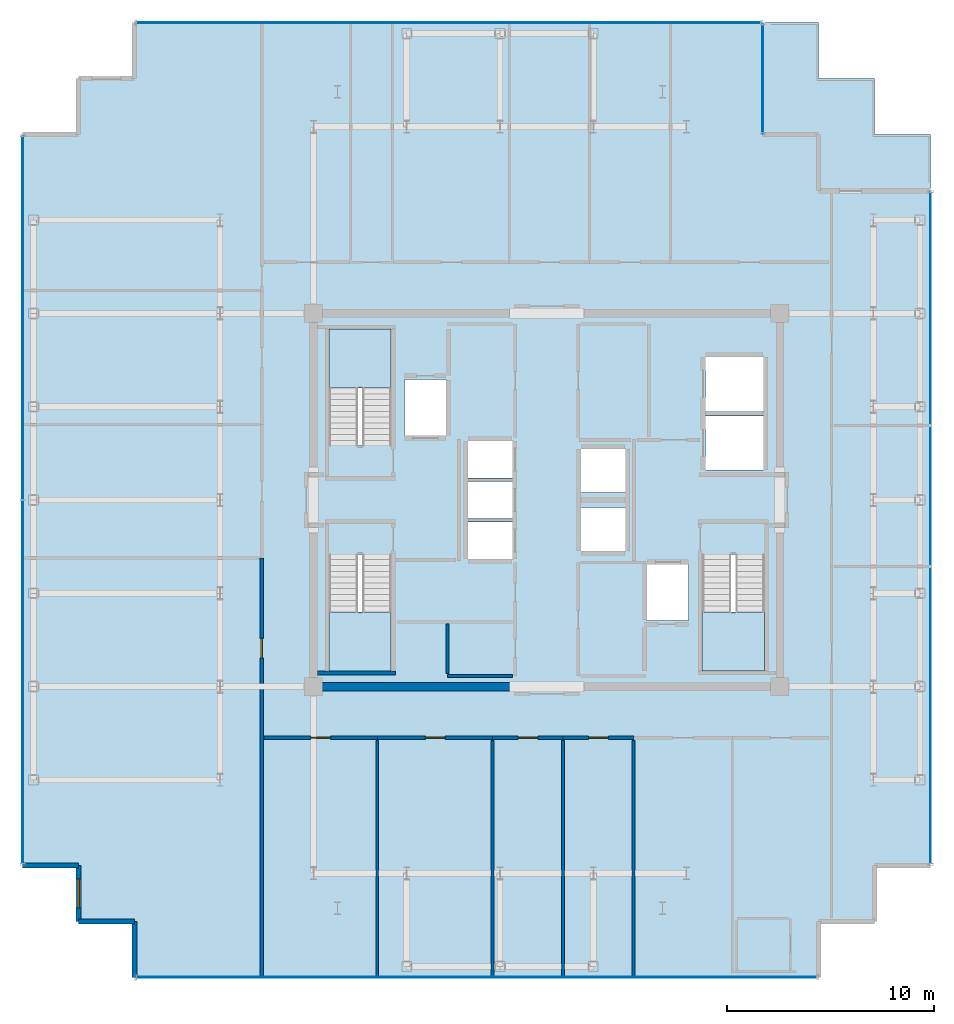
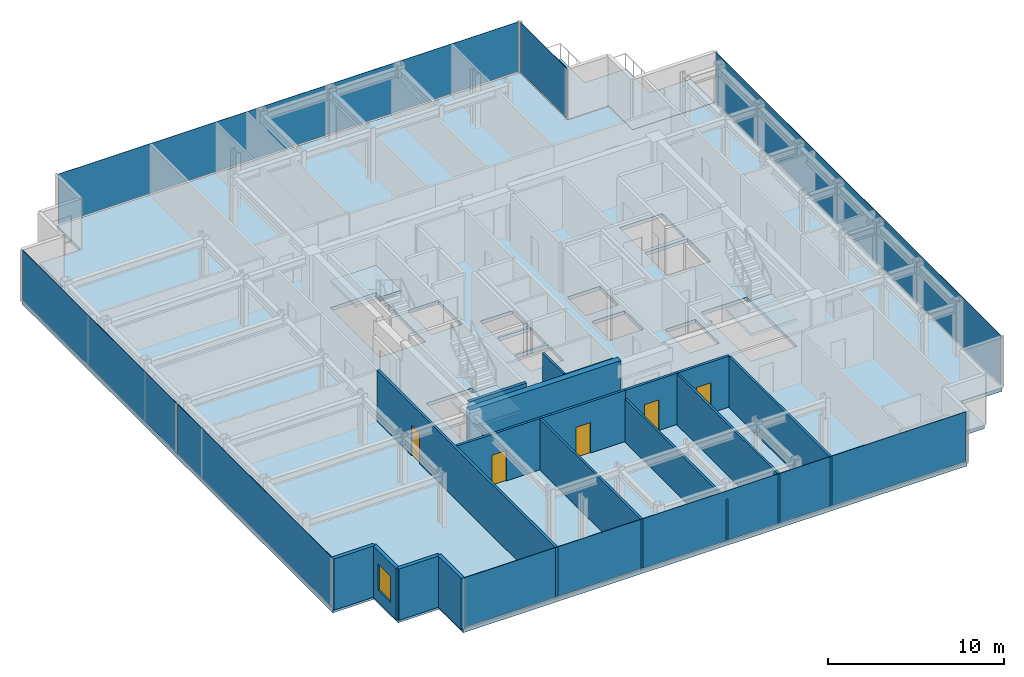
# One storey, part 11 of 17: 17 walls, 6 plates, 5 doors, 5 slabs, 1 window, 6 openings, 8 elements without a shape of their own.
"""IFC4 building model written with IfcOpenShell, lengths in metres."""

import ifcopenshell
import ifcopenshell.guid

model = None  # the IFC model being written
_history = None  # IfcOwnerHistory: only IFC2X3 demands one
_inside = {}  # id of a spatial element -> (the spatial element, [elements in it])
_under = {}  # id of a project, library or spatial element -> (it, [spatial elements below it])
_declared = {}  # id of a project -> (the project, [libraries it declares])
_typed = {}  # id of a type object -> (the type object, [elements of that type])
_made_of = {}  # id of a material, layer set ... -> (it, [elements and type objects made of it])


def new_model(schema):
    """Start an empty IFC model of exactly this schema.

    Asked for "IFC4X3", IfcOpenShell would pick the latest addendum, in which some entities
    have other attributes; the version numbers below select the first issue.
    IFC2X3 requires an IfcOwnerHistory on every rooted entity: one is made here for all.
    """
    global model, _history
    if schema == "IFC4X3":
        model = ifcopenshell.file(schema_version=(4, 3, 0, 0))
    else:
        model = ifcopenshell.file(schema=schema)
    _inside.clear()
    _under.clear()
    _declared.clear()
    _typed.clear()
    _made_of.clear()
    _history = None
    if model.schema == "IFC2X3":
        org = make("IfcOrganization", Name="unknown")
        user = make(
            "IfcPersonAndOrganization",
            ThePerson=make("IfcPerson", FamilyName="unknown"),
            TheOrganization=org,
        )
        app = make(
            "IfcApplication",
            ApplicationDeveloper=org,
            Version="unknown",
            ApplicationFullName="unknown",
            ApplicationIdentifier="unknown",
        )
        _history = make(
            "IfcOwnerHistory",
            OwningUser=user,
            OwningApplication=app,
            ChangeAction="ADDED",
            CreationDate=0,
        )
    return model


def make(cls, **values):
    """One entity of the class cls with the attributes given. An attribute that is None is left unset."""
    return model.create_entity(
        cls, **{name: value for name, value in values.items() if value is not None}
    )


def rooted(cls, **values):
    """An entity with a GlobalId (a new one), such as an element, a storey or a relation."""
    return make(cls, GlobalId=ifcopenshell.guid.new(), OwnerHistory=_history, **values)


def si_unit(unit_type, name, prefix=None):
    """IfcSIUnit, for example si_unit("LENGTHUNIT", "METRE", prefix="MILLI")."""
    return make("IfcSIUnit", UnitType=unit_type, Prefix=prefix, Name=name)


def assignment(units):
    """IfcUnitAssignment: the units of a project."""
    return None if units is None else make("IfcUnitAssignment", Units=units)


def point(xyz):
    """IfcCartesianPoint."""
    return None if xyz is None else make("IfcCartesianPoint", Coordinates=xyz)


def direction(xyz):
    """IfcDirection."""
    return None if xyz is None else make("IfcDirection", DirectionRatios=xyz)


def frame(location, z_axis=None, x_axis=None):
    """IfcAxis2Placement3D, a coordinate frame: its origin and axes. An axis left out is left unset."""
    return make(
        "IfcAxis2Placement3D",
        Location=point(location),
        Axis=direction(z_axis),
        RefDirection=direction(x_axis),
    )


def frame_2d(location, x_axis=None):
    """IfcAxis2Placement2D, a coordinate frame in the plane: its origin and x axis."""
    return make(
        "IfcAxis2Placement2D", Location=point(location), RefDirection=direction(x_axis)
    )


def origin():
    """The frame at (0, 0, 0) with its axes left unset."""
    return frame((0.0, 0.0, 0.0))


def origin_2d():
    """The frame at (0, 0) in the plane with its x axis left unset."""
    return frame_2d((0.0, 0.0))


def place(relative_to, where):
    """IfcLocalPlacement: puts the frame where relative to a parent placement (None: the world)."""
    return make(
        "IfcLocalPlacement", PlacementRelTo=relative_to, RelativePlacement=where
    )


def context(
    kind, dimensions, precision=None, world=None, true_north=None, identifier=None
):
    """IfcGeometricRepresentationContext, for example the 3D "Model" context."""
    return make(
        "IfcGeometricRepresentationContext",
        ContextIdentifier=identifier,
        ContextType=kind,
        CoordinateSpaceDimension=dimensions,
        Precision=precision,
        WorldCoordinateSystem=world,
        TrueNorth=true_north,
    )


def subcontext(parent, identifier, kind, view, scale=None):
    """IfcGeometricRepresentationSubContext, for example "Body" below "Model"."""
    return make(
        "IfcGeometricRepresentationSubContext",
        ContextIdentifier=identifier,
        ContextType=kind,
        ParentContext=parent,
        TargetScale=scale,
        TargetView=view,
    )


def project(units=None, contexts=None):
    """IfcProject with its units and contexts."""
    return rooted(
        "IfcProject",
        Name="project",
        RepresentationContexts=contexts,
        UnitsInContext=assignment(units),
    )


def spatial(cls, under=None, at=None, **own):
    """A site, building, storey or space (cls), placed at a placement, below another one or the project."""
    s = rooted(cls, ObjectPlacement=at, **own)
    if under is not None:
        _under.setdefault(under.id(), (under, []))[1].append(s)
    return s


def polyline(points):
    """IfcPolyline through the points."""
    return make("IfcPolyline", Points=[point(p) for p in points])


def profile(cls, at=None, kind="AREA", **sizes):
    """A parametric profile (cls). Its sizes go by their IFC names, for example OverallWidth=200.0."""
    return make(cls, ProfileType=kind, Position=at, **sizes)


def rectangle(**sizes):
    """IfcRectangleProfileDef."""
    return profile("IfcRectangleProfileDef", **sizes)


def outline(outer, holes=None, kind="AREA"):
    """IfcArbitraryClosedProfileDef: a profile drawn as a closed curve; with holes, ...WithVoids."""
    if holes is None:
        return make("IfcArbitraryClosedProfileDef", ProfileType=kind, OuterCurve=outer)
    return make(
        "IfcArbitraryProfileDefWithVoids",
        ProfileType=kind,
        OuterCurve=outer,
        InnerCurves=holes,
    )


def extrude(swept, where, along, depth):
    """IfcExtrudedAreaSolid: the profile swept, set in the frame where, extruded along a direction by depth."""
    return make(
        "IfcExtrudedAreaSolid",
        SweptArea=swept,
        Position=where,
        ExtrudedDirection=direction(along),
        Depth=depth,
    )


def shape(context_of_items, identifier, shape_type, items):
    """IfcShapeRepresentation: the items that make up one representation, for example the "Body"."""
    return make(
        "IfcShapeRepresentation",
        ContextOfItems=context_of_items,
        RepresentationIdentifier=identifier,
        RepresentationType=shape_type,
        Items=items,
    )


def source(mapping_origin, context_of_items, identifier, shape_type, items):
    """IfcRepresentationMap: a shape defined once, which mapped items show again and again."""
    return make(
        "IfcRepresentationMap",
        MappingOrigin=mapping_origin,
        MappedRepresentation=shape(context_of_items, identifier, shape_type, items),
    )


def transform(
    local_origin,
    x_axis=None,
    y_axis=None,
    z_axis=None,
    scale=None,
    scale2=None,
    scale3=None,
    uniform=True,
):
    """IfcCartesianTransformationOperator3D, or its non-uniform kind. x_axis, y_axis, z_axis: its Axis1, 2, 3."""
    if uniform:
        return make(
            "IfcCartesianTransformationOperator3D",
            Axis1=direction(x_axis),
            Axis2=direction(y_axis),
            LocalOrigin=point(local_origin),
            Scale=scale,
            Axis3=direction(z_axis),
        )
    return make(
        "IfcCartesianTransformationOperator3DnonUniform",
        Axis1=direction(x_axis),
        Axis2=direction(y_axis),
        LocalOrigin=point(local_origin),
        Scale=scale,
        Axis3=direction(z_axis),
        Scale2=scale2,
        Scale3=scale3,
    )


def mapped(mapping_source, mapping_target):
    """IfcMappedItem: shows the shape of a source again, moved by a transform."""
    return make(
        "IfcMappedItem", MappingSource=mapping_source, MappingTarget=mapping_target
    )


def material(Name=None, Category=None):
    """IfcMaterial."""
    return make("IfcMaterial", Name=Name, Category=Category)


def layer(
    of_material, thickness, ventilated=None, Name=None, Category=None, Priority=None
):
    """IfcMaterialLayer: one layer of a wall or slab, of a material (None: an air gap)."""
    return make(
        "IfcMaterialLayer",
        Material=of_material,
        LayerThickness=thickness,
        IsVentilated=ventilated,
        Name=Name,
        Category=Category,
        Priority=Priority,
    )


def layer_set(layers, Name=None):
    """IfcMaterialLayerSet."""
    return make("IfcMaterialLayerSet", MaterialLayers=layers, LayerSetName=Name)


def made_of(thing, what):
    """Note that an element or type object is made of a material, layer set ...; save() writes the relation."""
    if what is not None:
        _made_of.setdefault(what.id(), (what, []))[1].append(thing)
    return thing


def type_object(cls, material=None, **own):
    """A type object (cls), such as IfcWallType, which elements share."""
    return made_of(rooted(cls, **own), material)


def element(
    cls,
    number,
    at=None,
    inside=None,
    cuts=None,
    type_object=None,
    material=None,
    context=None,
    identifier="Body",
    shape_type=None,
    held_by="IfcProductDefinitionShape",
    body=None,
    shapes=None,
    **own,
):
    """One element of the class cls, such as IfcWall. Its Tag is "e" and its number.

    at: its placement. inside: the storey or other place that contains it. cuts: it is an
    opening in that element (IfcRelVoidsElement). A single representation is given by context,
    identifier, shape_type and body (its items); several are given by shapes. held_by: the class
    of the entity that holds the representations. save() writes the other relations.
    """
    e = rooted(cls, Tag="e%d" % number, ObjectPlacement=at, **own)
    if body is not None:
        shapes = [shape(context, identifier, shape_type, body)]
    if shapes is not None:
        e.Representation = make(held_by, Representations=shapes)
    if inside is not None:
        _inside.setdefault(inside.id(), (inside, []))[1].append(e)
    if cuts is not None:
        rooted(
            "IfcRelVoidsElement", RelatingBuildingElement=cuts, RelatedOpeningElement=e
        )
    if type_object is not None:
        _typed.setdefault(type_object.id(), (type_object, []))[1].append(e)
    return made_of(e, material)


def fill(opening, filler):
    """IfcRelFillsElement: the door or window that sits in an opening."""
    return rooted(
        "IfcRelFillsElement",
        RelatingOpeningElement=opening,
        RelatedBuildingElement=filler,
    )


def aggregate(whole, parts):
    """IfcRelAggregates: a whole, such as a stair, and the parts it consists of."""
    return rooted("IfcRelAggregates", RelatingObject=whole, RelatedObjects=parts)


def save(model, path):
    """Write the relations noted so far, then the file.

    IfcRelAggregates (storeys below a building ...), IfcRelContainedInSpatialStructure (elements
    in a storey), IfcRelDefinesByType, IfcRelAssociatesMaterial and IfcRelDeclares: one each for
    every whole, place, type object, material and project.
    """
    for whole, parts in _under.values():
        aggregate(whole, parts)
    for where, things in _inside.values():
        rooted(
            "IfcRelContainedInSpatialStructure",
            RelatedElements=things,
            RelatingStructure=where,
        )
    for kind, things in _typed.values():
        rooted("IfcRelDefinesByType", RelatedObjects=things, RelatingType=kind)
    for what, things in _made_of.values():
        rooted("IfcRelAssociatesMaterial", RelatedObjects=things, RelatingMaterial=what)
    for by, libraries in _declared.values():
        rooted("IfcRelDeclares", RelatingContext=by, RelatedDefinitions=libraries)
    model.write(path)


model = new_model("IFC4")

# Units and contexts
model_context = context("Model", 3, precision=1e-05, world=origin(), true_north=direction((0.0, 1.0)))
body_context = subcontext(model_context, "Body", "Model", "MODEL_VIEW")
ifc_project = project(units=[si_unit("LENGTHUNIT", "METRE"), si_unit("AREAUNIT", "SQUARE_METRE"), si_unit("VOLUMEUNIT", "CUBIC_METRE"), si_unit("PLANEANGLEUNIT", "RADIAN"), si_unit("MASSUNIT", "GRAM", prefix="KILO")], contexts=[model_context])

# Site, building, storey
site_placement = place(None, origin())
site = spatial("IfcSite", under=ifc_project, at=site_placement, CompositionType="ELEMENT")
building_placement = place(site_placement, origin())
building = spatial("IfcBuilding", under=site, at=building_placement, Name="Nefas-Gora Pilgrimage Tower", CompositionType="ELEMENT")
storey_placement = place(building_placement, frame((0.0, 0.0, 337.60009765625)))
storey = spatial("IfcBuildingStorey", under=building, at=storey_placement, Name="L85", CompositionType="ELEMENT", Elevation=337.60009765625)

# Slabs
ifc_material_1 = material(Name="Concrete C40/50", Category="concrete")
ifc_layer_1 = layer(ifc_material_1, 0.239990234375)
ifc_layer_set_1 = layer_set([ifc_layer_1], Name="Concrete C40/50")
slab_type_1 = type_object("IfcSlabType", Name="SLB-TER-SP-NE", PredefinedType="FLOOR", material=ifc_layer_set_1)
slab_1_placement = place(storey_placement, frame((0.0, 0.0, -0.239990234375)))
element("IfcSlab", 1, at=slab_1_placement, inside=storey, type_object=slab_type_1, Name="L85 Outdoor Sky Terrace Slab TER-SP-NE", PredefinedType="FLOOR", context=body_context, shape_type="SweptSolid", body=[
    extrude(outline(polyline([(10.419921875, 23.02001953125), (10.419921875, 17.6201171875), (13.1201171875, 17.6201171875), (13.1201171875, 14.919921875), (18.52001953125, 14.919921875), (18.52001953125, 17.6201171875), (15.820068359375, 17.6201171875), (15.820068359375, 20.320068359375), (13.1201171875, 20.320068359375), (13.1201171875, 23.02001953125), (10.419921875, 23.02001953125)])), origin(), (0.0, 0.0, 1.0), 0.239990234375),
])
ifc_layer_2 = layer(ifc_material_1, 0.25)
ifc_layer_set_2 = layer_set([ifc_layer_2], Name="Concrete C40/50")
slab_type_2 = type_object("IfcSlabType", Name="SLB-TWR-260", PredefinedType="FLOOR", material=ifc_layer_set_2)
slab_2_placement = place(storey_placement, frame((0.0, 0.0, -0.25)))
element("IfcSlab", 2, at=slab_2_placement, inside=storey, type_object=slab_type_2, Name="L85 Structural Floor Slab", PredefinedType="FLOOR", context=body_context, shape_type="SweptSolid", body=[
    extrude(outline(polyline([(18.52001953125, -17.6201171875), (18.52001953125, 14.919921875), (13.1201171875, 14.919921875), (13.1201171875, 17.6201171875), (10.419921875, 17.6201171875), (10.419921875, 23.02001953125), (-19.8701171875, 23.02001953125), (-19.8701171875, 20.320068359375), (-22.570068359375, 20.320068359375), (-22.570068359375, 17.6201171875), (-25.27001953125, 17.6201171875), (-25.27001953125, -17.6201171875), (-22.570068359375, -17.6201171875), (-22.570068359375, -20.320068359375), (-19.8701171875, -20.320068359375), (-19.8701171875, -23.02001953125), (13.1201171875, -23.02001953125), (13.1201171875, -20.320068359375), (15.820068359375, -20.320068359375), (15.820068359375, -17.6201171875), (18.52001953125, -17.6201171875)]), holes=[polyline([(-10.5, 2.639892578125), (-10.5, 8.25), (-7.5, 8.25), (-7.5, 2.639892578125), (-10.5, 2.639892578125)]), polyline([(10.5, -2.639892578125), (10.5, -8.25), (7.5, -8.25), (7.5, -2.639892578125), (10.5, -2.639892578125)]), polyline([(-7.5, -2.639892578125), (-7.5, -8.25), (-10.5, -8.25), (-10.5, -2.639892578125), (-7.5, -2.639892578125)]), polyline([(-6.85009765625, 5.800048828125), (-4.85009765625, 5.800048828125), (-4.85009765625, 3.10009765625), (-6.85009765625, 3.10009765625), (-6.85009765625, 5.800048828125)]), polyline([(4.85009765625, -3.10009765625), (6.85009765625, -3.10009765625), (6.85009765625, -5.800048828125), (4.85009765625, -5.800048828125), (4.85009765625, -3.10009765625)]), polyline([(7.64990234375, 4.050048828125), (10.449951171875, 4.050048828125), (10.449951171875, 1.449951171875), (7.64990234375, 1.449951171875), (7.64990234375, 4.050048828125)]), polyline([(7.64990234375, 6.89990234375), (10.449951171875, 6.89990234375), (10.449951171875, 4.300048828125), (7.64990234375, 4.300048828125), (7.64990234375, 6.89990234375)]), polyline([(-3.800048828125, -1.050048828125), (-1.64990234375, -1.050048828125), (-1.64990234375, -2.85009765625), (-3.800048828125, -2.85009765625), (-3.800048828125, -1.050048828125)]), polyline([(-3.800048828125, 0.89990234375), (-1.64990234375, 0.89990234375), (-1.64990234375, -0.89990234375), (-3.800048828125, -0.89990234375), (-3.800048828125, 0.89990234375)]), polyline([(-3.800048828125, 2.85009765625), (-1.64990234375, 2.85009765625), (-1.64990234375, 1.050048828125), (-3.800048828125, 1.050048828125), (-3.800048828125, 2.85009765625)]), polyline([(1.64990234375, -0.35009765625), (3.800048828125, -0.35009765625), (3.800048828125, -2.449951171875), (1.64990234375, -2.449951171875), (1.64990234375, -0.35009765625)]), polyline([(1.64990234375, 2.449951171875), (3.800048828125, 2.449951171875), (3.800048828125, 0.35009765625), (1.64990234375, 0.35009765625), (1.64990234375, 2.449951171875)])]), origin(), (0.0, 0.0, 1.0), 0.25),
])

# Stair, slab
ifc_material_2 = material(Name="Concrete C45/55", Category="concrete")
stair_type = type_object("IfcStairType", Name="STR-1400-R1727", PredefinedType="HALF_TURN_STAIR", material=ifc_material_2)
stair_1_placement = place(storey_placement, origin())
stair_1 = element("IfcStair", 3, at=stair_1_placement, inside=storey, type_object=stair_type, Name="L85 Pressurised Tower Exit Stair ST-01", PredefinedType="HALF_TURN_STAIR")
ifc_layer_3 = layer(ifc_material_1, 0.199951171875)
ifc_layer_set_3 = layer_set([ifc_layer_3], Name="Concrete C40/50")
slab_type_3 = type_object("IfcSlabType", Name="STR-LAND-200", PredefinedType="LANDING", material=ifc_layer_set_3)
slab_3_placement = place(storey_placement, frame((0.0, 0.0, 1.699951171875)))
slab_3 = element("IfcSlab", 4, at=slab_3_placement, type_object=slab_type_3, Name="ST-01 landing 1", PredefinedType="LANDING", context=body_context, shape_type="SweptSolid", body=[
    extrude(outline(polyline([(-7.5, 5.39990234375), (-7.5, 8.25), (-10.5, 8.25), (-10.5, 5.39990234375), (-7.5, 5.39990234375)])), origin(), (0.0, 0.0, 1.0), 0.199951171875),
])
aggregate(stair_1, [slab_3])

stair_2_placement = place(storey_placement, origin())
stair_2 = element("IfcStair", 5, at=stair_2_placement, inside=storey, type_object=stair_type, Name="L85 Pressurised Tower Exit Stair ST-02", PredefinedType="HALF_TURN_STAIR")
slab_4_placement = place(storey_placement, frame((0.0, 0.0, 1.699951171875)))
slab_4 = element("IfcSlab", 6, at=slab_4_placement, type_object=slab_type_3, Name="ST-02 landing 1", PredefinedType="LANDING", context=body_context, shape_type="SweptSolid", body=[
    extrude(outline(polyline([(7.5, -5.39990234375), (7.5, -8.25), (10.5, -8.25), (10.5, -5.39990234375), (7.5, -5.39990234375)])), origin(), (0.0, 0.0, 1.0), 0.199951171875),
])
aggregate(stair_2, [slab_4])

stair_3_placement = place(storey_placement, origin())
stair_3 = element("IfcStair", 7, at=stair_3_placement, inside=storey, type_object=stair_type, Name="L85 Pressurised Tower Exit Stair ST-03", PredefinedType="HALF_TURN_STAIR")
slab_5_placement = place(storey_placement, frame((0.0, 0.0, 1.699951171875)))
slab_5 = element("IfcSlab", 8, at=slab_5_placement, type_object=slab_type_3, Name="ST-03 landing 1", PredefinedType="LANDING", context=body_context, shape_type="SweptSolid", body=[
    extrude(outline(polyline([(-10.5, -5.39990234375), (-10.5, -8.25), (-7.5, -8.25), (-7.5, -5.39990234375), (-10.5, -5.39990234375)])), origin(), (0.0, 0.0, 1.0), 0.199951171875),
])
aggregate(stair_3, [slab_5])

# Curtain wall, plate
ifc_material_3 = material(Name="Dark ceramic-fritted solar-control aluminium-glass curtain wall", Category="aluminium")
ifc_layer_4 = layer(ifc_material_3, 0.219970703125)
ifc_layer_set_4 = layer_set([ifc_layer_4], Name="Dark ceramic-fritted solar-control aluminium-glass curtain wall")
curtain_wall_type = type_object("IfcCurtainWallType", Name="CW-SYS-4", PredefinedType="NOTDEFINED", material=ifc_layer_set_4)
curtain_wall_1_placement = place(storey_placement, origin())
curtain_wall_1 = element("IfcCurtainWall", 9, at=curtain_wall_1_placement, inside=storey, type_object=curtain_wall_type, Name="L85 Unitised Curtain Wall CW4", PredefinedType="NOTDEFINED")
ifc_material_4 = material(Name="Dark ceramic-printed low-e insulated glass", Category="glass")
ifc_layer_5 = layer(ifc_material_4, 0.030029296875)
ifc_layer_set_5 = layer_set([ifc_layer_5], Name="Dark ceramic-printed low-e insulated glass")
plate_type = type_object("IfcPlateType", Name="CWP-PNL-4", PredefinedType="CURTAIN_PANEL", material=ifc_layer_set_5)
shared_shape_1 = source(origin(), body_context, "Body", "SweptSolid", [
    extrude(rectangle(XDim=32.81005859375, YDim=0.030029296875, at=origin_2d()), origin(), (0.0, 0.0, 1.0), 3.43994140625),
])
plate_1_placement = place(storey_placement, frame((-3.375, -23.02001953125, 0.099853515625), z_axis=(0.0, 0.0, 1.0), x_axis=(1.0, 0.0, 0.0)))
plate_1 = element("IfcPlate", 10, at=plate_1_placement, type_object=plate_type, Name="CW4 Ceramic-Fritted Glazing Panel 1", PredefinedType="CURTAIN_PANEL", context=body_context, shape_type="MappedRepresentation", body=[
    mapped(shared_shape_1, transform((0.0, 0.0, 0.0), x_axis=(1.0, 0.0, 0.0), y_axis=(0.0, 1.0, 0.0), z_axis=(0.0, 0.0, 1.0), scale=1.0)),
])
aggregate(curtain_wall_1, [plate_1])

# Curtain wall, plates
curtain_wall_2_placement = place(storey_placement, origin())
curtain_wall_2 = element("IfcCurtainWall", 11, at=curtain_wall_2_placement, inside=storey, type_object=curtain_wall_type, Name="L85 Unitised Curtain Wall CW4", PredefinedType="NOTDEFINED")
shared_shape_2 = source(origin(), body_context, "Body", "SweptSolid", [
    extrude(rectangle(XDim=17.485107421875, YDim=0.030029296875, at=origin_2d()), origin(), (0.0, 0.0, 1.0), 3.43994140625),
])
plate_2_placement = place(storey_placement, frame((-25.27001953125, 8.78759765625, 0.099853515625), z_axis=(0.0, 0.0, 1.0), x_axis=(0.0, -1.0, 0.0)))
plate_2 = element("IfcPlate", 12, at=plate_2_placement, type_object=plate_type, Name="CW4 Ceramic-Fritted Glazing Panel 1", PredefinedType="CURTAIN_PANEL", context=body_context, shape_type="MappedRepresentation", body=[
    mapped(shared_shape_2, transform((0.0, 0.0, 0.0), x_axis=(1.0, 0.0, 0.0), y_axis=(0.0, 1.0, 0.0), z_axis=(0.0, 0.0, 1.0), scale=1.0)),
])
plate_3_placement = place(storey_placement, frame((-25.27001953125, -8.78759765625, 0.099853515625), z_axis=(0.0, 0.0, 1.0), x_axis=(0.0, -1.0, 0.0)))
plate_3 = element("IfcPlate", 13, at=plate_3_placement, type_object=plate_type, Name="CW4 Ceramic-Fritted Glazing Panel 2", PredefinedType="CURTAIN_PANEL", context=body_context, shape_type="MappedRepresentation", body=[
    mapped(shared_shape_2, transform((0.0, 0.0, 0.0), x_axis=(1.0, 0.0, 0.0), y_axis=(0.0, 1.0, 0.0), z_axis=(0.0, 0.0, 1.0), scale=1.0)),
])
aggregate(curtain_wall_2, [plate_2, plate_3])

# Curtain wall, plate
curtain_wall_3_placement = place(storey_placement, origin())
curtain_wall_3 = element("IfcCurtainWall", 14, at=curtain_wall_3_placement, inside=storey, type_object=curtain_wall_type, Name="L85 Unitised Curtain Wall CW4", PredefinedType="NOTDEFINED")
shared_shape_3 = source(origin(), body_context, "Body", "SweptSolid", [
    extrude(rectangle(XDim=32.360107421875, YDim=0.030029296875, at=origin_2d()), origin(), (0.0, 0.0, 1.0), 3.43994140625),
])
plate_4_placement = place(storey_placement, frame((18.52001953125, -1.35009765625, 0.099853515625), z_axis=(0.0, 0.0, 1.0), x_axis=(0.0, 1.0, 0.0)))
plate_4 = element("IfcPlate", 15, at=plate_4_placement, type_object=plate_type, Name="CW4 Ceramic-Fritted Glazing Panel 1", PredefinedType="CURTAIN_PANEL", context=body_context, shape_type="MappedRepresentation", body=[
    mapped(shared_shape_3, transform((0.0, 0.0, 0.0), x_axis=(1.0, 0.0, 0.0), y_axis=(0.0, 1.0, 0.0), z_axis=(0.0, 0.0, 1.0), scale=1.0)),
])
aggregate(curtain_wall_3, [plate_4])

curtain_wall_4_placement = place(storey_placement, origin())
curtain_wall_4 = element("IfcCurtainWall", 16, at=curtain_wall_4_placement, inside=storey, type_object=curtain_wall_type, Name="L85 Unitised Curtain Wall CW4", PredefinedType="NOTDEFINED")
shared_shape_4 = source(origin(), body_context, "Body", "SweptSolid", [
    extrude(rectangle(XDim=5.219970703125, YDim=0.030029296875, at=origin_2d()), origin(), (0.0, 0.0, 1.0), 3.43994140625),
])
plate_5_placement = place(storey_placement, frame((10.419921875, 20.320068359375, 0.099853515625), z_axis=(0.0, 0.0, 1.0), x_axis=(0.0, 1.0, 0.0)))
plate_5 = element("IfcPlate", 17, at=plate_5_placement, type_object=plate_type, Name="CW4 Ceramic-Fritted Glazing Panel 1", PredefinedType="CURTAIN_PANEL", context=body_context, shape_type="MappedRepresentation", body=[
    mapped(shared_shape_4, transform((0.0, 0.0, 0.0), x_axis=(1.0, 0.0, 0.0), y_axis=(0.0, 1.0, 0.0), z_axis=(0.0, 0.0, 1.0), scale=1.0)),
])
aggregate(curtain_wall_4, [plate_5])

curtain_wall_5_placement = place(storey_placement, origin())
curtain_wall_5 = element("IfcCurtainWall", 18, at=curtain_wall_5_placement, inside=storey, type_object=curtain_wall_type, Name="L85 Unitised Curtain Wall CW4", PredefinedType="NOTDEFINED")
shared_shape_5 = source(origin(), body_context, "Body", "SweptSolid", [
    extrude(rectangle(XDim=30.110107421875, YDim=0.030029296875, at=origin_2d()), origin(), (0.0, 0.0, 1.0), 3.43994140625),
])
plate_6_placement = place(storey_placement, frame((-4.72509765625, 23.02001953125, 0.099853515625), z_axis=(0.0, 0.0, 1.0), x_axis=(-1.0, 0.0, 0.0)))
plate_6 = element("IfcPlate", 19, at=plate_6_placement, type_object=plate_type, Name="CW4 Ceramic-Fritted Glazing Panel 1", PredefinedType="CURTAIN_PANEL", context=body_context, shape_type="MappedRepresentation", body=[
    mapped(shared_shape_5, transform((0.0, 0.0, 0.0), x_axis=(1.0, 0.0, 0.0), y_axis=(0.0, 1.0, 0.0), z_axis=(0.0, 0.0, 1.0), scale=1.0)),
])
aggregate(curtain_wall_5, [plate_6])

# Walls
ifc_material_5 = material(Name="Concrete C50/60", Category="concrete")
ifc_layer_6 = layer(ifc_material_5, 0.39990234375)
ifc_layer_set_6 = layer_set([ifc_layer_6], Name="Concrete C50/60")
wall_type_1 = type_object("IfcWallType", Name="SW-CORE-400", PredefinedType="SHEAR", material=ifc_layer_set_6)
shared_shape_6 = source(origin(), body_context, "Body", "SweptSolid", [
    extrude(rectangle(XDim=9.89990234375, YDim=0.39990234375, at=frame_2d((4.949951171875, 0.0))), origin(), (0.0, 0.0, 1.0), 3.7998046875),
])
wall_1_placement = place(storey_placement, frame((-11.449951171875, -9.0, 0.0), z_axis=(0.0, 0.0, 1.0), x_axis=(1.0, 0.0, 0.0)))
element("IfcWall", 20, at=wall_1_placement, inside=storey, type_object=wall_type_1, Name="L85 Core Shear Wall S-West", PredefinedType="SHEAR", context=body_context, shape_type="MappedRepresentation", body=[
    mapped(shared_shape_6, transform((0.0, 0.0, 0.0), x_axis=(1.0, 0.0, 0.0), y_axis=(0.0, 1.0, 0.0), z_axis=(0.0, 0.0, 1.0), scale=1.0)),
])
ifc_material_6 = material(Name="Precast concrete C45/55", Category="concrete")
ifc_layer_7 = layer(ifc_material_6, 0.239990234375)
ifc_layer_set_7 = layer_set([ifc_layer_7], Name="Precast concrete C45/55")
wall_type_2 = type_object("IfcWallType", Name="EW-SERR-240", PredefinedType="SHEAR", material=ifc_layer_set_7)
shared_shape_7 = source(origin(), body_context, "Body", "SweptSolid", [
    extrude(rectangle(XDim=2.699951171875, YDim=0.239990234375, at=frame_2d((1.35009765625, 0.0))), origin(), (0.0, 0.0, 1.0), 3.5498046875),
])
wall_2_placement = place(storey_placement, frame((-25.27001953125, -17.6201171875, 0.0), z_axis=(0.0, 0.0, 1.0), x_axis=(1.0, 0.0, 0.0)))
element("IfcWall", 21, at=wall_2_placement, inside=storey, type_object=wall_type_2, Name="L85 Serrated Corner Shear Pier Wall 8", PredefinedType="SHEAR", context=body_context, shape_type="MappedRepresentation", body=[
    mapped(shared_shape_7, transform((0.0, 0.0, 0.0), x_axis=(1.0, 0.0, 0.0), y_axis=(0.0, 1.0, 0.0), z_axis=(0.0, 0.0, 1.0), scale=1.0)),
])

# Wall, opening, window
wall_3_placement = place(storey_placement, frame((-22.570068359375, -17.6201171875, 0.0), z_axis=(0.0, 0.0, 1.0), x_axis=(0.0, -1.0, 0.0)))
wall_3 = element("IfcWall", 22, at=wall_3_placement, inside=storey, type_object=wall_type_2, Name="L85 Serrated Corner Shear Pier Wall 9", PredefinedType="SHEAR", context=body_context, shape_type="MappedRepresentation", body=[
    mapped(shared_shape_7, transform((0.0, 0.0, 0.0), x_axis=(1.0, 0.0, 0.0), y_axis=(0.0, 1.0, 0.0), z_axis=(0.0, 0.0, 1.0), scale=1.0)),
])
opening_1_placement = place(wall_3_placement, frame((0.64990234375, 0.0, 0.85009765625)))
opening_1 = element("IfcOpeningElement", 23, at=opening_1_placement, cuts=wall_3, Name="Opening W-V2", PredefinedType="OPENING", context=body_context, shape_type="SweptSolid", body=[
    extrude(rectangle(XDim=1.39990234375, YDim=1.800048828125, at=frame_2d((0.699951171875, 0.89990234375))), frame((0.0, 0.1298828125, 0.0), z_axis=(0.0, -1.0, 0.0), x_axis=(1.0, 0.0, 0.0)), (0.0, 0.0, 1.0), 0.260009765625),
])
ifc_material_7 = material(Name="Dark ceramic-fritted operable aluminium-glass window", Category="aluminium")
window_type = type_object("IfcWindowType", Name="WIN-VENT-1400x1800", PartitioningType="SINGLE_PANEL", PredefinedType="WINDOW", material=ifc_material_7)
shared_shape_8 = source(origin(), body_context, "Body", "SweptSolid", [
    extrude(rectangle(XDim=1.39990234375, YDim=1.800048828125, at=frame_2d((0.699951171875, 0.89990234375))), frame((0.0, 0.030029296875, 0.0), z_axis=(0.0, -1.0, 0.0), x_axis=(1.0, 0.0, 0.0)), (0.0, 0.0, 1.0), 0.06005859375),
])
window_placement = place(opening_1_placement, origin())
window = element("IfcWindow", 24, at=window_placement, inside=storey, type_object=window_type, Name="L85 Operable Parallel-Outswing Window 9", OverallHeight=1.800048828125, OverallWidth=1.39990234375, PartitioningType="SINGLE_PANEL", PredefinedType="WINDOW", context=body_context, shape_type="MappedRepresentation", body=[
    mapped(shared_shape_8, transform((0.0, 0.0, 0.0), x_axis=(1.0, 0.0, 0.0), y_axis=(0.0, 1.0, 0.0), z_axis=(0.0, 0.0, 1.0), scale=1.0)),
])
fill(opening_1, window)

# Walls
for number, where, z_axis, x_axis, name in (
    (25, (-22.570068359375, -20.320068359375, 0.0), (0.0, 0.0, 1.0), (1.0, 0.0, 0.0), "L85 Serrated Corner Shear Pier Wall 10"),
    (26, (-19.8701171875, -20.320068359375, 0.0), (0.0, 0.0, 1.0), (0.0, -1.0, 0.0), "L85 Serrated Corner Shear Pier Wall 11"),
):
    element("IfcWall", number, at=place(storey_placement, frame(where, z_axis=z_axis, x_axis=x_axis)), inside=storey, type_object=wall_type_2, Name=name, PredefinedType="SHEAR", context=body_context, shape_type="MappedRepresentation", body=[
        mapped(shared_shape_7, transform((0.0, 0.0, 0.0), x_axis=(1.0, 0.0, 0.0), y_axis=(0.0, 1.0, 0.0), z_axis=(0.0, 0.0, 1.0), scale=1.0)),
    ])
ifc_layer_8 = layer(ifc_material_2, 0.199951171875)
ifc_layer_set_8 = layer_set([ifc_layer_8], Name="Concrete C45/55")
wall_type_3 = type_object("IfcWallType", Name="IW-STAIR-200", PredefinedType="SOLIDWALL", material=ifc_layer_set_8)
shared_shape_9 = source(origin(), body_context, "Body", "SweptSolid", [
    extrude(rectangle(XDim=3.7548828125, YDim=0.199951171875, at=frame_2d((1.87744140625, 0.0))), origin(), (0.0, 0.0, 1.0), 3.7998046875),
])
wall_4_placement = place(storey_placement, frame((-11.054931640625, -8.35009765625, 0.0), z_axis=(0.0, 0.0, 1.0), x_axis=(1.0, 0.0, 0.0)))
element("IfcWall", 27, at=wall_4_placement, inside=storey, type_object=wall_type_3, Name="L85 Stairwell Shear Wall ST-03-far", PredefinedType="SOLIDWALL", context=body_context, shape_type="MappedRepresentation", body=[
    mapped(shared_shape_9, transform((0.0, 0.0, 0.0), x_axis=(1.0, 0.0, 0.0), y_axis=(0.0, 1.0, 0.0), z_axis=(0.0, 0.0, 1.0), scale=1.0)),
])
ifc_material_8 = material(Name="Gypsum twin-stud partition")
ifc_layer_9 = layer(ifc_material_8, 0.139892578125)
ifc_layer_set_9 = layer_set([ifc_layer_9], Name="Gypsum twin-stud partition")
wall_type_4 = type_object("IfcWallType", Name="IW-UNIT-140", PredefinedType="PARTITIONING", material=ifc_layer_set_9)
shared_shape_10 = source(origin(), body_context, "Body", "SweptSolid", [
    extrude(rectangle(XDim=3.150146484375, YDim=0.139892578125, at=frame_2d((1.5751953125, 0.0))), origin(), (0.0, 0.0, 1.0), 3.534912109375),
])
wall_5_placement = place(storey_placement, frame((-4.7900390625, -8.47998046875, 0.0), z_axis=(0.0, 0.0, 1.0), x_axis=(1.0, 0.0, 0.0)))
element("IfcWall", 28, at=wall_5_placement, inside=storey, type_object=wall_type_4, Name="L85 Freed Bank-2 West Supply Vault Partition Wall 29", PredefinedType="PARTITIONING", context=body_context, shape_type="MappedRepresentation", body=[
    mapped(shared_shape_10, transform((0.0, 0.0, 0.0), x_axis=(1.0, 0.0, 0.0), y_axis=(0.0, 1.0, 0.0), z_axis=(0.0, 0.0, 1.0), scale=1.0)),
])

# Wall, opening, door
ifc_material_9 = material(Name="Gypsum acoustic stud partition")
ifc_layer_10 = layer(ifc_material_9, 0.159912109375)
ifc_layer_set_10 = layer_set([ifc_layer_10], Name="Gypsum acoustic stud partition")
wall_type_5 = type_object("IfcWallType", Name="IW-CORR-160", PredefinedType="PARTITIONING", material=ifc_layer_set_10)
shared_shape_11 = source(origin(), body_context, "Body", "SweptSolid", [
    extrude(rectangle(XDim=3.405029296875, YDim=0.159912109375, at=frame_2d((1.70263671875, 0.0))), origin(), (0.0, 0.0, 1.0), 3.534912109375),
])
wall_6_placement = place(storey_placement, frame((-2.60498046875, -11.469970703125, 0.0), z_axis=(0.0, 0.0, 1.0), x_axis=(1.0, 0.0, 0.0)))
wall_6 = element("IfcWall", 29, at=wall_6_placement, inside=storey, type_object=wall_type_5, Name="L85 Pilgrim Contemplative Lounge Partition Wall 61", PredefinedType="PARTITIONING", context=body_context, shape_type="MappedRepresentation", body=[
    mapped(shared_shape_11, transform((0.0, 0.0, 0.0), x_axis=(1.0, 0.0, 0.0), y_axis=(0.0, 1.0, 0.0), z_axis=(0.0, 0.0, 1.0), scale=1.0)),
])
opening_2_placement = place(wall_6_placement, frame((1.2275390625, 0.0, 0.0)))
opening_2 = element("IfcOpeningElement", 30, at=opening_2_placement, cuts=wall_6, Name="Opening ID-GR1", PredefinedType="OPENING", context=body_context, shape_type="SweptSolid", body=[
    extrude(rectangle(XDim=0.949951171875, YDim=2.10009765625, at=frame_2d((0.47509765625, 1.050048828125))), frame((0.0, 0.08984375, 0.0), z_axis=(0.0, -1.0, 0.0), x_axis=(1.0, 0.0, 0.0)), (0.0, 0.0, 1.0), 0.179931640625),
])
ifc_material_10 = material(Name="Solid core oak fire-rated guest entrance door")
door_type = type_object("IfcDoorType", Name="DR-INT-GUEST-950", OperationType="NOTDEFINED", PredefinedType="DOOR", material=ifc_material_10)
shared_shape_12 = source(origin(), body_context, "Body", "SweptSolid", [
    extrude(rectangle(XDim=0.949951171875, YDim=2.10009765625, at=frame_2d((0.47509765625, 1.050048828125))), frame((0.0, 0.02490234375, 0.0), z_axis=(0.0, -1.0, 0.0), x_axis=(1.0, 0.0, 0.0)), (0.0, 0.0, 1.0), 0.050048828125),
])
door_1_placement = place(opening_2_placement, origin())
door_1 = element("IfcDoor", 31, at=door_1_placement, inside=storey, type_object=door_type, Name="L85 Pilgrim Contemplative Lounge Door 29", OperationType="SINGLE_SWING_LEFT", OverallHeight=2.10009765625, OverallWidth=0.949951171875, PredefinedType="DOOR", context=body_context, shape_type="MappedRepresentation", body=[
    mapped(shared_shape_12, transform((0.0, 0.0, 0.0), x_axis=(1.0, 0.0, 0.0), y_axis=(0.0, 1.0, 0.0), z_axis=(0.0, 0.0, 1.0), scale=1.0)),
])
fill(opening_2, door_1)

wall_7_placement = place(storey_placement, frame((0.800048828125, -11.469970703125, 0.0), z_axis=(0.0, 0.0, 1.0), x_axis=(1.0, 0.0, 0.0)))
wall_7 = element("IfcWall", 32, at=wall_7_placement, inside=storey, type_object=wall_type_5, Name="L85 Pilgrim Contemplative Lounge Partition Wall 63", PredefinedType="PARTITIONING", context=body_context, shape_type="MappedRepresentation", body=[
    mapped(shared_shape_11, transform((0.0, 0.0, 0.0), x_axis=(1.0, 0.0, 0.0), y_axis=(0.0, 1.0, 0.0), z_axis=(0.0, 0.0, 1.0), scale=1.0)),
])
opening_3_placement = place(wall_7_placement, frame((1.2275390625, 0.0, 0.0)))
opening_3 = element("IfcOpeningElement", 33, at=opening_3_placement, cuts=wall_7, Name="Opening ID-GR1", PredefinedType="OPENING", context=body_context, shape_type="SweptSolid", body=[
    extrude(rectangle(XDim=0.949951171875, YDim=2.10009765625, at=frame_2d((0.47509765625, 1.050048828125))), frame((0.0, 0.08984375, 0.0), z_axis=(0.0, -1.0, 0.0), x_axis=(1.0, 0.0, 0.0)), (0.0, 0.0, 1.0), 0.179931640625),
])
door_2_placement = place(opening_3_placement, origin())
door_2 = element("IfcDoor", 34, at=door_2_placement, inside=storey, type_object=door_type, Name="L85 Pilgrim Contemplative Lounge Door 30", OperationType="SINGLE_SWING_RIGHT", OverallHeight=2.10009765625, OverallWidth=0.949951171875, PredefinedType="DOOR", context=body_context, shape_type="MappedRepresentation", body=[
    mapped(shared_shape_12, transform((0.0, 0.0, 0.0), x_axis=(1.0, 0.0, 0.0), y_axis=(0.0, 1.0, 0.0), z_axis=(0.0, 0.0, 1.0), scale=1.0)),
])
fill(opening_3, door_2)

shared_shape_13 = source(origin(), body_context, "Body", "SweptSolid", [
    extrude(rectangle(XDim=5.460205078125, YDim=0.159912109375, at=frame_2d((2.72998046875, 0.0))), origin(), (0.0, 0.0, 1.0), 3.534912109375),
])
wall_8_placement = place(storey_placement, frame((-13.6201171875, -11.469970703125, 0.0), z_axis=(0.0, 0.0, 1.0), x_axis=(1.0, 0.0, 0.0)))
wall_8 = element("IfcWall", 35, at=wall_8_placement, inside=storey, type_object=wall_type_5, Name="L85 Pilgrim Contemplative Lounge Partition Wall 57", PredefinedType="PARTITIONING", context=body_context, shape_type="MappedRepresentation", body=[
    mapped(shared_shape_13, transform((0.0, 0.0, 0.0), x_axis=(1.0, 0.0, 0.0), y_axis=(0.0, 1.0, 0.0), z_axis=(0.0, 0.0, 1.0), scale=1.0)),
])
opening_4_placement = place(wall_8_placement, frame((2.2548828125, 0.0, 0.0)))
opening_4 = element("IfcOpeningElement", 36, at=opening_4_placement, cuts=wall_8, Name="Opening ID-GR1", PredefinedType="OPENING", context=body_context, shape_type="SweptSolid", body=[
    extrude(rectangle(XDim=0.949951171875, YDim=2.10009765625, at=frame_2d((0.47509765625, 1.050048828125))), frame((0.0, 0.08984375, 0.0), z_axis=(0.0, -1.0, 0.0), x_axis=(1.0, 0.0, 0.0)), (0.0, 0.0, 1.0), 0.179931640625),
])
door_3_placement = place(opening_4_placement, origin())
door_3 = element("IfcDoor", 37, at=door_3_placement, inside=storey, type_object=door_type, Name="L85 Pilgrim Contemplative Lounge Door 27", OperationType="SINGLE_SWING_LEFT", OverallHeight=2.10009765625, OverallWidth=0.949951171875, PredefinedType="DOOR", context=body_context, shape_type="MappedRepresentation", body=[
    mapped(shared_shape_12, transform((0.0, 0.0, 0.0), x_axis=(1.0, 0.0, 0.0), y_axis=(0.0, 1.0, 0.0), z_axis=(0.0, 0.0, 1.0), scale=1.0)),
])
fill(opening_4, door_3)

shared_shape_14 = source(origin(), body_context, "Body", "SweptSolid", [
    extrude(rectangle(XDim=5.56494140625, YDim=0.159912109375, at=frame_2d((2.782470703125, 0.0))), origin(), (0.0, 0.0, 1.0), 3.534912109375),
])
wall_9_placement = place(storey_placement, frame((-8.159912109375, -11.469970703125, 0.0), z_axis=(0.0, 0.0, 1.0), x_axis=(1.0, 0.0, 0.0)))
wall_9 = element("IfcWall", 38, at=wall_9_placement, inside=storey, type_object=wall_type_5, Name="L85 Pilgrim Contemplative Lounge Partition Wall 59", PredefinedType="PARTITIONING", context=body_context, shape_type="MappedRepresentation", body=[
    mapped(shared_shape_14, transform((0.0, 0.0, 0.0), x_axis=(1.0, 0.0, 0.0), y_axis=(0.0, 1.0, 0.0), z_axis=(0.0, 0.0, 1.0), scale=1.0)),
])
opening_5_placement = place(wall_9_placement, frame((2.3076171875, 0.0, 0.0)))
opening_5 = element("IfcOpeningElement", 39, at=opening_5_placement, cuts=wall_9, Name="Opening ID-GR1", PredefinedType="OPENING", context=body_context, shape_type="SweptSolid", body=[
    extrude(rectangle(XDim=0.949951171875, YDim=2.10009765625, at=frame_2d((0.47509765625, 1.050048828125))), frame((0.0, 0.08984375, 0.0), z_axis=(0.0, -1.0, 0.0), x_axis=(1.0, 0.0, 0.0)), (0.0, 0.0, 1.0), 0.179931640625),
])
door_4_placement = place(opening_5_placement, origin())
door_4 = element("IfcDoor", 40, at=door_4_placement, inside=storey, type_object=door_type, Name="L85 Pilgrim Contemplative Lounge Door 28", OperationType="SINGLE_SWING_RIGHT", OverallHeight=2.10009765625, OverallWidth=0.949951171875, PredefinedType="DOOR", context=body_context, shape_type="MappedRepresentation", body=[
    mapped(shared_shape_12, transform((0.0, 0.0, 0.0), x_axis=(1.0, 0.0, 0.0), y_axis=(0.0, 1.0, 0.0), z_axis=(0.0, 0.0, 1.0), scale=1.0)),
])
fill(opening_5, door_4)

# Walls
shared_shape_15 = source(origin(), body_context, "Body", "SweptSolid", [
    extrude(rectangle(XDim=11.449951171875, YDim=0.139892578125, at=frame_2d((5.72509765625, 0.0))), origin(), (0.0, 0.0, 1.0), 3.534912109375),
])
for number, where, z_axis, x_axis, name in (
    (41, (-8.169921875, -23.0400390625, 0.0), (0.0, 0.0, 1.0), (0.0, 1.0, 0.0), "L85 Pilgrim Contemplative Lounge Partition Wall 58"),
    (42, (0.7900390625, -23.0400390625, 0.0), (0.0, 0.0, 1.0), (0.0, 1.0, 0.0), "L85 Pilgrim Contemplative Lounge Partition Wall 62"),
    (43, (4.195068359375, -23.0400390625, 0.0), (0.0, 0.0, 1.0), (0.0, 1.0, 0.0), "L85 Pilgrim Contemplative Lounge Partition Wall 64"),
):
    element("IfcWall", number, at=place(storey_placement, frame(where, z_axis=z_axis, x_axis=x_axis)), inside=storey, type_object=wall_type_4, Name=name, PredefinedType="PARTITIONING", context=body_context, shape_type="MappedRepresentation", body=[
        mapped(shared_shape_15, transform((0.0, 0.0, 0.0), x_axis=(1.0, 0.0, 0.0), y_axis=(0.0, 1.0, 0.0), z_axis=(0.0, 0.0, 1.0), scale=1.0)),
    ])
shared_shape_16 = source(origin(), body_context, "Body", "SweptSolid", [
    extrude(rectangle(XDim=2.380126953125, YDim=0.139892578125, at=frame_2d((1.18994140625, 0.0))), origin(), (0.0, 0.0, 1.0), 3.534912109375),
])
wall_10_placement = place(storey_placement, frame((-4.780029296875, -8.3701171875, 0.0), z_axis=(0.0, 0.0, 1.0), x_axis=(0.0, 1.0, 0.0)))
element("IfcWall", 44, at=wall_10_placement, inside=storey, type_object=wall_type_4, Name="L85 Freed Bank-2 West Supply Vault Partition Wall 30", PredefinedType="PARTITIONING", context=body_context, shape_type="MappedRepresentation", body=[
    mapped(shared_shape_16, transform((0.0, 0.0, 0.0), x_axis=(1.0, 0.0, 0.0), y_axis=(0.0, 1.0, 0.0), z_axis=(0.0, 0.0, 1.0), scale=1.0)),
])
shared_shape_17 = source(origin(), body_context, "Body", "SweptSolid", [
    extrude(rectangle(XDim=11.449951171875, YDim=0.139892578125, at=frame_2d((5.72509765625, 0.0))), origin(), (0.0, 0.0, 1.0), 2.974853515625),
])
wall_11_placement = place(storey_placement, frame((-2.60498046875, -23.0400390625, 0.0), z_axis=(0.0, 0.0, 1.0), x_axis=(0.0, 1.0, 0.0)))
element("IfcWall", 45, at=wall_11_placement, inside=storey, type_object=wall_type_4, Name="L85 Pilgrim Contemplative Lounge Partition Wall 60", PredefinedType="PARTITIONING", context=body_context, shape_type="MappedRepresentation", body=[
    mapped(shared_shape_17, transform((0.0, 0.0, 0.0), x_axis=(1.0, 0.0, 0.0), y_axis=(0.0, 1.0, 0.0), z_axis=(0.0, 0.0, 1.0), scale=1.0)),
])

# Wall, opening, door
shared_shape_18 = source(origin(), body_context, "Body", "SweptSolid", [
    extrude(rectangle(XDim=20.2451171875, YDim=0.159912109375, at=frame_2d((10.12255859375, 0.0))), origin(), (0.0, 0.0, 1.0), 3.534912109375),
])
wall_12_placement = place(storey_placement, frame((-13.739990234375, -23.0400390625, 0.0), z_axis=(0.0, 0.0, 1.0), x_axis=(0.0, 1.0, 0.0)))
wall_12 = element("IfcWall", 46, at=wall_12_placement, inside=storey, type_object=wall_type_5, Name="L85 Pilgrim Floor Concierge Foyer Partition Wall 37", PredefinedType="PARTITIONING", context=body_context, shape_type="MappedRepresentation", body=[
    mapped(shared_shape_18, transform((0.0, 0.0, 0.0), x_axis=(1.0, 0.0, 0.0), y_axis=(0.0, 1.0, 0.0), z_axis=(0.0, 0.0, 1.0), scale=1.0)),
])
opening_6_placement = place(wall_12_placement, frame((15.41259765625, 0.0, 0.0)))
opening_6 = element("IfcOpeningElement", 47, at=opening_6_placement, cuts=wall_12, Name="Opening ID-GR1", PredefinedType="OPENING", context=body_context, shape_type="SweptSolid", body=[
    extrude(rectangle(XDim=0.949951171875, YDim=2.10009765625, at=frame_2d((0.47509765625, 1.050048828125))), frame((0.0, 0.08984375, 0.0), z_axis=(0.0, -1.0, 0.0), x_axis=(1.0, 0.0, 0.0)), (0.0, 0.0, 1.0), 0.179931640625),
])
door_5_placement = place(opening_6_placement, origin())
door_5 = element("IfcDoor", 48, at=door_5_placement, inside=storey, type_object=door_type, Name="L85 Pilgrim Floor Concierge Foyer Door 15", OperationType="SINGLE_SWING_LEFT", OverallHeight=2.10009765625, OverallWidth=0.949951171875, PredefinedType="DOOR", context=body_context, shape_type="MappedRepresentation", body=[
    mapped(shared_shape_12, transform((0.0, 0.0, 0.0), x_axis=(1.0, 0.0, 0.0), y_axis=(0.0, 1.0, 0.0), z_axis=(0.0, 0.0, 1.0), scale=1.0)),
])
fill(opening_6, door_5)

save(model, "model.ifc")
